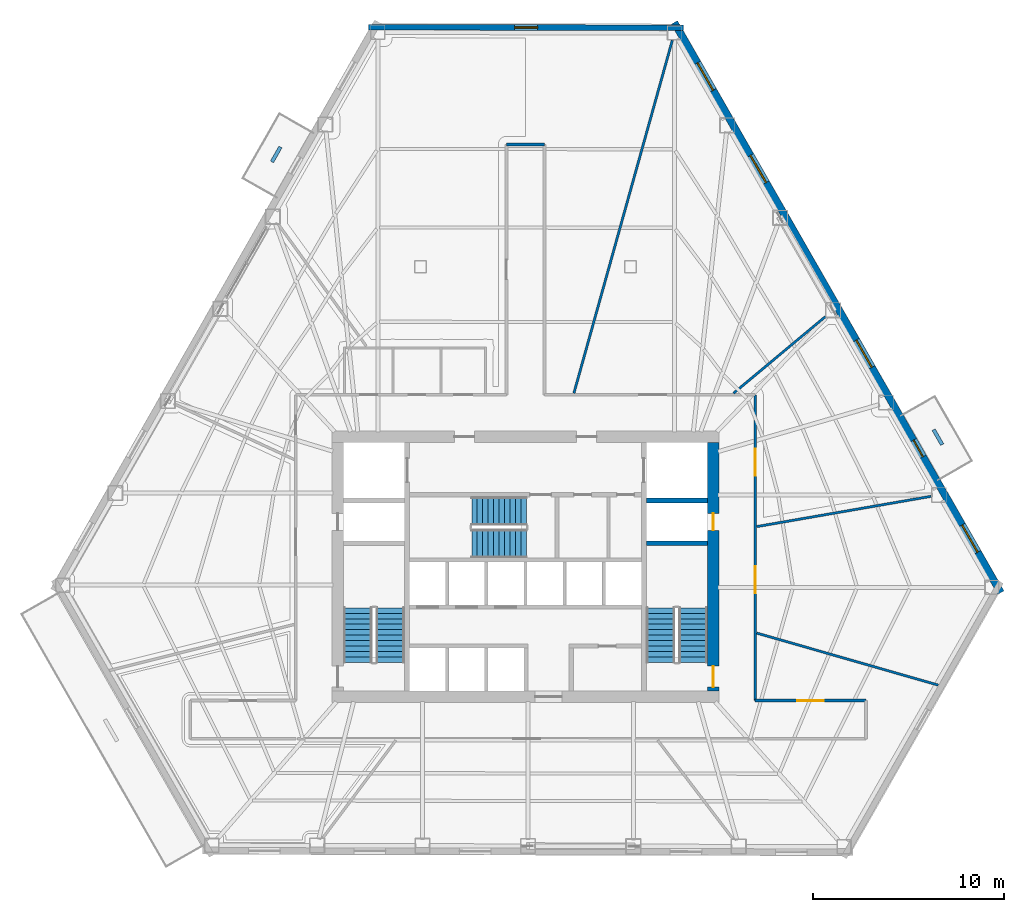
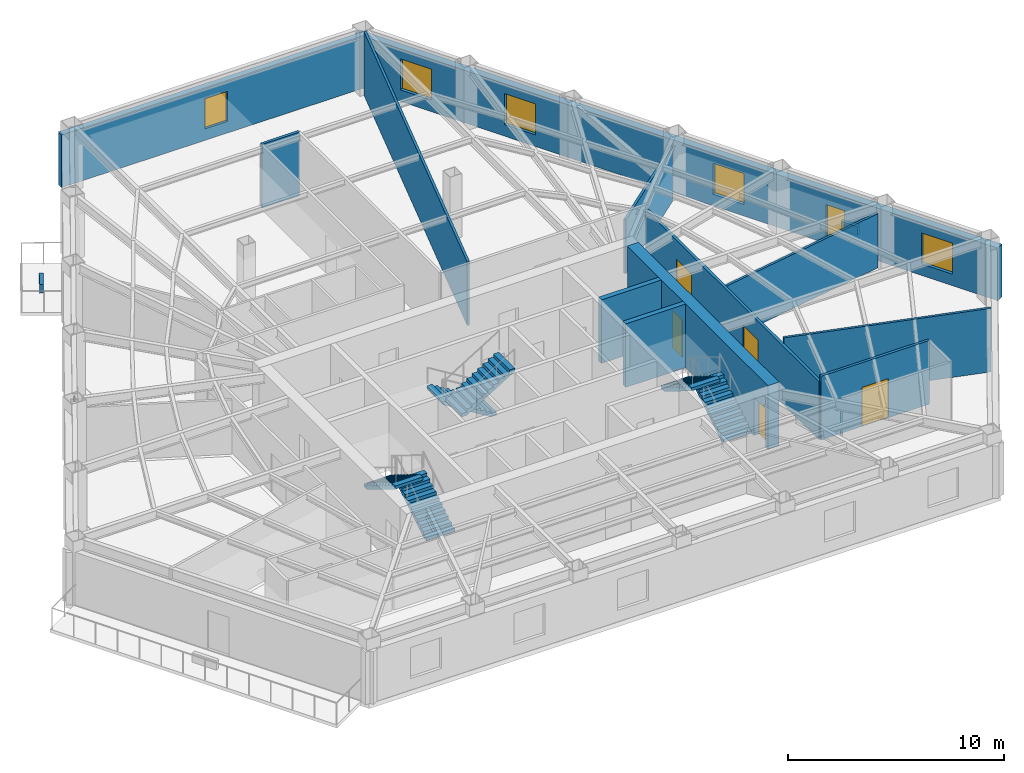
# One storey, part 10 of 14: 14 walls, 6 doors, 6 stair flights, 5 windows, 11 openings, 3 elements without a shape of their own.
"""IFC4 building model written with IfcOpenShell, lengths in metres."""

from ifc_helpers import new_model, si_unit, direction, frame, frame_2d, origin, place, context, subcontext, project, spatial, polyline, rectangle, outline, extrude, material, layer, layer_set, type_object, element, fill, aggregate, save


model = new_model("IFC4")

# Units and contexts
model_context = context("Model", 3, precision=1e-05, world=origin(), true_north=direction((0.0, 1.0)))
body_context = subcontext(model_context, "Body", "Model", "MODEL_VIEW")
ifc_project = project(units=[si_unit("LENGTHUNIT", "METRE"), si_unit("AREAUNIT", "SQUARE_METRE"), si_unit("VOLUMEUNIT", "CUBIC_METRE"), si_unit("PLANEANGLEUNIT", "RADIAN"), si_unit("MASSUNIT", "GRAM", prefix="KILO")], contexts=[model_context])

# Site, building, storey
site_placement = place(None, origin())
site = spatial("IfcSite", under=ifc_project, at=site_placement, CompositionType="ELEMENT")
building_placement = place(site_placement, origin())
building = spatial("IfcBuilding", under=site, at=building_placement, Name="Kavelnor Concourse Tower", CompositionType="ELEMENT")
storey_placement = place(building_placement, frame((0.0, 0.0, 32.949951171875)))
storey = spatial("IfcBuildingStorey", under=building, at=storey_placement, Name="L08", CompositionType="ELEMENT", Elevation=32.949951171875)

# Wall, openings, doors
ifc_material_1 = material(Name="Concrete C60/75", Category="concrete")
ifc_layer_1 = layer(ifc_material_1, 0.60009765625, Name="Concrete C60/75")
ifc_layer_set_1 = layer_set([ifc_layer_1], Name="Concrete C60/75")
wall_type_1 = type_object("IfcWallType", Name="WL-CORE-Z1-600", PredefinedType="SOLIDWALL", material=ifc_layer_set_1)
wall_1_placement = place(storey_placement, frame((47.820068359375, 9.60009765625, 0.0), z_axis=(0.0, 0.0, 1.0), x_axis=(0.0, 1.0, 0.0)))
wall_1 = element("IfcWall", 1, at=wall_1_placement, inside=storey, type_object=wall_type_1, Name="L08 Central Core East Shear Wall", PredefinedType="SOLIDWALL", context=body_context, shape_type="SweptSolid", body=[
    extrude(rectangle(XDim=13.0, YDim=0.60009765625, at=frame_2d((6.5, 0.0))), origin(), (0.0, 0.0, 1.0), 3.590087890625),
])
opening_1_placement = place(wall_1_placement, frame((0.199951171875, 0.0, 0.0)))
opening_1 = element("IfcOpeningElement", 2, at=opening_1_placement, cuts=wall_1, Name="Opening FD-110", PredefinedType="OPENING", context=body_context, shape_type="SweptSolid", body=[
    extrude(rectangle(XDim=1.10009765625, YDim=2.14990234375, at=frame_2d((0.550048828125, 1.074951171875))), frame((0.0, 0.31005859375, 0.0), z_axis=(0.0, -1.0, 0.0), x_axis=(1.0, 0.0, 0.0)), (0.0, 0.0, 1.0), 0.6201171875),
])
opening_2_placement = place(wall_1_placement, frame((8.39990234375, 0.0, 0.0)))
opening_2 = element("IfcOpeningElement", 3, at=opening_2_placement, cuts=wall_1, Name="Opening FD-090", PredefinedType="OPENING", context=body_context, shape_type="SweptSolid", body=[
    extrude(rectangle(XDim=0.89990234375, YDim=2.10009765625, at=frame_2d((0.449951171875, 1.050048828125))), frame((0.0, 0.31005859375, 0.0), z_axis=(0.0, -1.0, 0.0), x_axis=(1.0, 0.0, 0.0)), (0.0, 0.0, 1.0), 0.6201171875),
])
ifc_material_2 = material(Name="Steel Grade 350", Category="steel")
door_type_1 = type_object("IfcDoorType", Name="DR-RISER-FIRE-900", OperationType="NOTDEFINED", PredefinedType="DOOR", material=ifc_material_2)
door_1_placement = place(opening_2_placement, origin())
door_1 = element("IfcDoor", 4, at=door_1_placement, inside=storey, type_object=door_type_1, Name="L08 East Riser Access Door", OperationType="SINGLE_SWING_LEFT", OverallHeight=2.10009765625, OverallWidth=0.89990234375, PredefinedType="DOOR", context=body_context, shape_type="SweptSolid", body=[
    extrude(rectangle(XDim=0.89990234375, YDim=2.10009765625, at=frame_2d((0.449951171875, 1.050048828125))), frame((0.0, 0.02490234375, 0.0), z_axis=(0.0, -1.0, 0.0), x_axis=(1.0, 0.0, 0.0)), (0.0, 0.0, 1.0), 0.050048828125),
])
fill(opening_2, door_1)
door_type_2 = type_object("IfcDoorType", Name="DR-STAIR-FIRE-1100", OperationType="NOTDEFINED", PredefinedType="DOOR", material=ifc_material_2)
door_2_placement = place(opening_1_placement, origin())
door_2 = element("IfcDoor", 5, at=door_2_placement, inside=storey, type_object=door_type_2, Name="L08 Stair ST2 Fire Door", OperationType="SINGLE_SWING_RIGHT", OverallHeight=2.14990234375, OverallWidth=1.10009765625, PredefinedType="DOOR", context=body_context, shape_type="SweptSolid", body=[
    extrude(rectangle(XDim=1.10009765625, YDim=2.14990234375, at=frame_2d((0.550048828125, 1.074951171875))), frame((0.0, 0.02490234375, 0.0), z_axis=(0.0, -1.0, 0.0), x_axis=(1.0, 0.0, 0.0)), (0.0, 0.0, 1.0), 0.050048828125),
])
fill(opening_1, door_2)

# Wall, opening, window
ifc_material_3 = material(Name="Buff ironspot clay face brick masonry", Category="masonry")
ifc_layer_2 = layer(ifc_material_3, 0.300048828125, Name="Buff ironspot clay face brick masonry")
ifc_layer_set_2 = layer_set([ifc_layer_2], Name="Buff ironspot clay face brick masonry")
wall_type_2 = type_object("IfcWallType", Name="WL-EXT-BUFF-BRICK-FOLD-300", PredefinedType="STANDARD", material=ifc_layer_set_2)
wall_2_placement = place(storey_placement, frame((29.792236328125, 44.335693359375, 0.0), z_axis=(0.0, 0.0, 1.0), x_axis=(0.999997529995, -0.002222611864, 0.0)))
wall_2 = element("IfcWall", 6, at=wall_2_placement, inside=storey, type_object=wall_type_2, Name="L08 Exterior Brick Facade Wall E0", PredefinedType="STANDARD", context=body_context, shape_type="SweptSolid", body=[
    extrude(rectangle(XDim=16.4765625, YDim=0.300048828125, at=frame_2d((8.23828125, 0.0))), origin(), (0.0, 0.0, 1.0), 2.969970703125),
])
opening_3_placement = place(wall_2_placement, frame((7.63818359375, 0.0, 0.64990234375)))
opening_3 = element("IfcOpeningElement", 7, at=opening_3_placement, cuts=wall_2, Name="Opening W-05", PredefinedType="OPENING", context=body_context, shape_type="SweptSolid", body=[
    extrude(rectangle(XDim=1.199951171875, YDim=1.699951171875, at=frame_2d((0.60009765625, 0.85009765625))), frame((0.0, 0.16015625, 0.0), z_axis=(0.0, -1.0, 0.0), x_axis=(1.0, 0.0, 0.0)), (0.0, 0.0, 1.0), 0.320068359375),
])
ifc_material_4 = material(Name="Double low-E argon insulated glazing", Category="glass")
window_type_1 = type_object("IfcWindowType", Name="WIN-FOLD-1200", PartitioningType="SINGLE_PANEL", PredefinedType="WINDOW", material=ifc_material_4)
window_1_placement = place(opening_3_placement, origin())
window_1 = element("IfcWindow", 8, at=window_1_placement, inside=storey, type_object=window_type_1, Name="L08 Chamfer-Fold Facet Window C0", OverallHeight=1.699951171875, OverallWidth=1.199951171875, PartitioningType="SINGLE_PANEL", PredefinedType="WINDOW", context=body_context, shape_type="SweptSolid", body=[
    extrude(rectangle(XDim=1.199951171875, YDim=1.699951171875, at=frame_2d((0.60009765625, 0.85009765625))), frame((0.0, 0.030029296875, 0.0), z_axis=(0.0, -1.0, 0.0), x_axis=(1.0, 0.0, 0.0)), (0.0, 0.0, 1.0), 0.06005859375),
])
fill(opening_3, window_1)

# Wall, openings, door, windows
ifc_material_5 = material(Name="Red-ochre clay face brick masonry", Category="masonry")
ifc_layer_3 = layer(ifc_material_5, 0.3798828125, Name="Red-ochre clay face brick masonry")
ifc_layer_set_3 = layer_set([ifc_layer_3], Name="Red-ochre clay face brick masonry")
wall_type_3 = type_object("IfcWallType", Name="WL-EXT-RED-BRICK-PIER-380", PredefinedType="STANDARD", material=ifc_layer_set_3)
wall_3_placement = place(storey_placement, frame((45.78759765625, 44.57861328125, 0.0), z_axis=(0.0, 0.0, 1.0), x_axis=(0.49695855075, -0.867774278736, 0.0)))
wall_3 = element("IfcWall", 9, at=wall_3_placement, inside=storey, type_object=wall_type_3, Name="L08 Exterior Brick Facade Wall E5", PredefinedType="STANDARD", context=body_context, shape_type="SweptSolid", body=[
    extrude(rectangle(XDim=34.379150390625, YDim=0.3798828125, at=frame_2d((17.189453125, 0.0))), origin(), (0.0, 0.0, 1.0), 2.969970703125),
])
opening_4_placement = place(wall_3_placement, frame((25.184326171875, 0.0, 0.0)))
opening_4 = element("IfcOpeningElement", 10, at=opening_4_placement, cuts=wall_3, Name="Opening BD-100", PredefinedType="OPENING", context=body_context, shape_type="SweptSolid", body=[
    extrude(rectangle(XDim=1.0, YDim=2.199951171875, at=frame_2d((0.5, 1.10009765625))), frame((0.0, 0.199951171875, 0.0), z_axis=(0.0, -1.0, 0.0), x_axis=(1.0, 0.0, 0.0)), (0.0, 0.0, 1.0), 0.39990234375),
])
opening_5_placement = place(wall_3_placement, frame((30.294189453125, 0.0, 0.64990234375)))
opening_5 = element("IfcOpeningElement", 11, at=opening_5_placement, cuts=wall_3, Name="Opening W-01", PredefinedType="OPENING", context=body_context, shape_type="SweptSolid", body=[
    extrude(rectangle(XDim=1.64990234375, YDim=1.75, at=frame_2d((0.824951171875, 0.875))), frame((0.0, 0.199951171875, 0.0), z_axis=(0.0, -1.0, 0.0), x_axis=(1.0, 0.0, 0.0)), (0.0, 0.0, 1.0), 0.39990234375),
])
opening_6_placement = place(wall_3_placement, frame((19.15185546875, 0.0, 0.64990234375)))
opening_6 = element("IfcOpeningElement", 12, at=opening_6_placement, cuts=wall_3, Name="Opening W-01", PredefinedType="OPENING", context=body_context, shape_type="SweptSolid", body=[
    extrude(rectangle(XDim=1.64990234375, YDim=1.75, at=frame_2d((0.824951171875, 0.875))), frame((0.0, 0.199951171875, 0.0), z_axis=(0.0, -1.0, 0.0), x_axis=(1.0, 0.0, 0.0)), (0.0, 0.0, 1.0), 0.39990234375),
])
opening_7_placement = place(wall_3_placement, frame((8.009521484375, 0.0, 0.64990234375)))
opening_7 = element("IfcOpeningElement", 13, at=opening_7_placement, cuts=wall_3, Name="Opening W-01", PredefinedType="OPENING", context=body_context, shape_type="SweptSolid", body=[
    extrude(rectangle(XDim=1.64990234375, YDim=1.75, at=frame_2d((0.824951171875, 0.875))), frame((0.0, 0.199951171875, 0.0), z_axis=(0.0, -1.0, 0.0), x_axis=(1.0, 0.0, 0.0)), (0.0, 0.0, 1.0), 0.39990234375),
])
opening_8_placement = place(wall_3_placement, frame((2.438232421875, 0.0, 0.64990234375)))
opening_8 = element("IfcOpeningElement", 14, at=opening_8_placement, cuts=wall_3, Name="Opening W-01", PredefinedType="OPENING", context=body_context, shape_type="SweptSolid", body=[
    extrude(rectangle(XDim=1.64990234375, YDim=1.75, at=frame_2d((0.824951171875, 0.875))), frame((0.0, 0.199951171875, 0.0), z_axis=(0.0, -1.0, 0.0), x_axis=(1.0, 0.0, 0.0)), (0.0, 0.0, 1.0), 0.39990234375),
])
ifc_material_6 = material(Name="Anodised aluminium 6063-T6", Category="aluminium")
door_type_3 = type_object("IfcDoorType", Name="DR-BALCONY-EXT-1000", OperationType="NOTDEFINED", PredefinedType="DOOR", material=ifc_material_6)
door_3_placement = place(opening_4_placement, origin())
door_3 = element("IfcDoor", 15, at=door_3_placement, inside=storey, type_object=door_type_3, Name="L08 Tree Balcony 1 Glazed Door", OperationType="SINGLE_SWING_LEFT", OverallHeight=2.199951171875, OverallWidth=1.0, PredefinedType="DOOR", context=body_context, shape_type="SweptSolid", body=[
    extrude(rectangle(XDim=1.0, YDim=2.199951171875, at=frame_2d((0.5, 1.10009765625))), frame((0.0, 0.02490234375, 0.0), z_axis=(0.0, -1.0, 0.0), x_axis=(1.0, 0.0, 0.0)), (0.0, 0.0, 1.0), 0.050048828125),
])
fill(opening_4, door_3)
window_type_2 = type_object("IfcWindowType", Name="WIN-PIER-Z1-1800", PartitioningType="SINGLE_PANEL", PredefinedType="WINDOW", material=ifc_material_4)
window_2_placement = place(opening_5_placement, origin())
window_2 = element("IfcWindow", 16, at=window_2_placement, inside=storey, type_object=window_type_2, Name="L08 Deep-Set Brick Pier Window F2-B0", OverallHeight=1.75, OverallWidth=1.64990234375, PartitioningType="SINGLE_PANEL", PredefinedType="WINDOW", context=body_context, shape_type="SweptSolid", body=[
    extrude(rectangle(XDim=1.64990234375, YDim=1.75, at=frame_2d((0.824951171875, 0.875))), frame((0.0, 0.030029296875, 0.0), z_axis=(0.0, -1.0, 0.0), x_axis=(1.0, 0.0, 0.0)), (0.0, 0.0, 1.0), 0.06005859375),
])
fill(opening_5, window_2)
window_3_placement = place(opening_6_placement, origin())
window_3 = element("IfcWindow", 17, at=window_3_placement, inside=storey, type_object=window_type_2, Name="L08 Deep-Set Brick Pier Window F2-B2", OverallHeight=1.75, OverallWidth=1.64990234375, PartitioningType="SINGLE_PANEL", PredefinedType="WINDOW", context=body_context, shape_type="SweptSolid", body=[
    extrude(rectangle(XDim=1.64990234375, YDim=1.75, at=frame_2d((0.824951171875, 0.875))), frame((0.0, 0.030029296875, 0.0), z_axis=(0.0, -1.0, 0.0), x_axis=(1.0, 0.0, 0.0)), (0.0, 0.0, 1.0), 0.06005859375),
])
fill(opening_6, window_3)
window_4_placement = place(opening_7_placement, origin())
window_4 = element("IfcWindow", 18, at=window_4_placement, inside=storey, type_object=window_type_2, Name="L08 Deep-Set Brick Pier Window F2-B4", OverallHeight=1.75, OverallWidth=1.64990234375, PartitioningType="SINGLE_PANEL", PredefinedType="WINDOW", context=body_context, shape_type="SweptSolid", body=[
    extrude(rectangle(XDim=1.64990234375, YDim=1.75, at=frame_2d((0.824951171875, 0.875))), frame((0.0, 0.030029296875, 0.0), z_axis=(0.0, -1.0, 0.0), x_axis=(1.0, 0.0, 0.0)), (0.0, 0.0, 1.0), 0.06005859375),
])
fill(opening_7, window_4)
window_5_placement = place(opening_8_placement, origin())
window_5 = element("IfcWindow", 19, at=window_5_placement, inside=storey, type_object=window_type_2, Name="L08 Deep-Set Brick Pier Window F2-B5", OverallHeight=1.75, OverallWidth=1.64990234375, PartitioningType="SINGLE_PANEL", PredefinedType="WINDOW", context=body_context, shape_type="SweptSolid", body=[
    extrude(rectangle(XDim=1.64990234375, YDim=1.75, at=frame_2d((0.824951171875, 0.875))), frame((0.0, 0.030029296875, 0.0), z_axis=(0.0, -1.0, 0.0), x_axis=(1.0, 0.0, 0.0)), (0.0, 0.0, 1.0), 0.06005859375),
])
fill(opening_8, window_5)

# Wall
ifc_material_7 = material(Name="Gypsum plasterboard on light-gauge steel studs", Category="steel")
ifc_layer_4 = layer(ifc_material_7, 0.14501953125, Name="Gypsum plasterboard on light-gauge steel studs")
ifc_layer_set_4 = layer_set([ifc_layer_4], Name="Gypsum plasterboard on light-gauge steel studs")
wall_type_4 = type_object("IfcWallType", Name="WL-INT-CORR-145", PredefinedType="PARTITIONING", material=ifc_layer_set_4)
wall_4_placement = place(storey_placement, frame((37.0, 38.199951171875, 0.0), z_axis=(0.0, 0.0, 1.0), x_axis=(1.0, 0.0, 0.0)))
element("IfcWall", 20, at=wall_4_placement, inside=storey, type_object=wall_type_4, Name="L08 Corridor Wall WL-L08-CR-05", PredefinedType="PARTITIONING", context=body_context, shape_type="SweptSolid", body=[
    extrude(rectangle(XDim=2.0, YDim=0.14501953125, at=frame_2d((1.0, 0.0))), origin(), (0.0, 0.0, 1.0), 3.590087890625),
])

# Wall, openings, doors
wall_5_placement = place(storey_placement, frame((50.02001953125, 25.10009765625, 0.0), z_axis=(0.0, 0.0, 1.0), x_axis=(0.0, -1.0, 0.0)))
wall_5 = element("IfcWall", 21, at=wall_5_placement, inside=storey, type_object=wall_type_4, Name="L08 Corridor Wall WL-L08-CR-08", PredefinedType="PARTITIONING", context=body_context, shape_type="SweptSolid", body=[
    extrude(rectangle(XDim=16.0, YDim=0.14501953125, at=frame_2d((8.0, 0.0))), origin(), (0.0, 0.0, 1.0), 3.278076171875),
])
opening_9_placement = place(wall_5_placement, frame((2.834228515625, 0.0, 0.0)))
opening_9 = element("IfcOpeningElement", 22, at=opening_9_placement, cuts=wall_5, Name="Opening SD-140", PredefinedType="OPENING", context=body_context, shape_type="SweptSolid", body=[
    extrude(rectangle(XDim=1.39990234375, YDim=2.199951171875, at=frame_2d((0.699951171875, 1.10009765625))), frame((0.0, 0.08251953125, 0.0), z_axis=(0.0, -1.0, 0.0), x_axis=(1.0, 0.0, 0.0)), (0.0, 0.0, 1.0), 0.1650390625),
])
opening_10_placement = place(wall_5_placement, frame((8.9833984375, 0.0, 0.0)))
opening_10 = element("IfcOpeningElement", 23, at=opening_10_placement, cuts=wall_5, Name="Opening SD-140", PredefinedType="OPENING", context=body_context, shape_type="SweptSolid", body=[
    extrude(rectangle(XDim=1.39990234375, YDim=2.199951171875, at=frame_2d((0.699951171875, 1.10009765625))), frame((0.0, 0.08251953125, 0.0), z_axis=(0.0, -1.0, 0.0), x_axis=(1.0, 0.0, 0.0)), (0.0, 0.0, 1.0), 0.1650390625),
])
ifc_material_8 = material(Name="Solid-core hardwood timber", Category="wood")
door_type_4 = type_object("IfcDoorType", Name="DR-SUITE-ENTRY-1400", OperationType="NOTDEFINED", PredefinedType="DOOR", material=ifc_material_8)
door_4_placement = place(opening_9_placement, origin())
door_4 = element("IfcDoor", 24, at=door_4_placement, inside=storey, type_object=door_type_4, Name="L08 Technical Reference Library 01 Door", OperationType="SINGLE_SWING_RIGHT", OverallHeight=2.199951171875, OverallWidth=1.39990234375, PredefinedType="DOOR", context=body_context, shape_type="SweptSolid", body=[
    extrude(rectangle(XDim=1.39990234375, YDim=2.199951171875, at=frame_2d((0.699951171875, 1.10009765625))), frame((0.0, 0.02490234375, 0.0), z_axis=(0.0, -1.0, 0.0), x_axis=(1.0, 0.0, 0.0)), (0.0, 0.0, 1.0), 0.050048828125),
])
fill(opening_9, door_4)
door_5_placement = place(opening_10_placement, origin())
door_5 = element("IfcDoor", 25, at=door_5_placement, inside=storey, type_object=door_type_4, Name="L08 Client Concierge 09 Door", OperationType="SINGLE_SWING_RIGHT", OverallHeight=2.199951171875, OverallWidth=1.39990234375, PredefinedType="DOOR", context=body_context, shape_type="SweptSolid", body=[
    extrude(rectangle(XDim=1.39990234375, YDim=2.199951171875, at=frame_2d((0.699951171875, 1.10009765625))), frame((0.0, 0.02490234375, 0.0), z_axis=(0.0, -1.0, 0.0), x_axis=(1.0, 0.0, 0.0)), (0.0, 0.0, 1.0), 0.050048828125),
])
fill(opening_10, door_5)

# Wall, opening, door
wall_6_placement = place(storey_placement, frame((50.02001953125, 9.10009765625, 0.0), z_axis=(0.0, 0.0, 1.0), x_axis=(1.0, 0.0, 0.0)))
wall_6 = element("IfcWall", 26, at=wall_6_placement, inside=storey, type_object=wall_type_4, Name="L08 Corridor Wall WL-L08-CR-09", PredefinedType="PARTITIONING", context=body_context, shape_type="SweptSolid", body=[
    extrude(rectangle(XDim=5.797119140625, YDim=0.14501953125, at=frame_2d((2.8984375, 0.0))), origin(), (0.0, 0.0, 1.0), 3.590087890625),
])
opening_11_placement = place(wall_6_placement, frame((2.198486328125, 0.0, 0.0)))
opening_11 = element("IfcOpeningElement", 27, at=opening_11_placement, cuts=wall_6, Name="Opening SD-140", PredefinedType="OPENING", context=body_context, shape_type="SweptSolid", body=[
    extrude(rectangle(XDim=1.39990234375, YDim=2.199951171875, at=frame_2d((0.699951171875, 1.10009765625))), frame((0.0, 0.08251953125, 0.0), z_axis=(0.0, -1.0, 0.0), x_axis=(1.0, 0.0, 0.0)), (0.0, 0.0, 1.0), 0.1650390625),
])
door_6_placement = place(opening_11_placement, origin())
door_6 = element("IfcDoor", 28, at=door_6_placement, inside=storey, type_object=door_type_4, Name="L08 Staff Breakout Pantry 08 Door", OperationType="SINGLE_SWING_LEFT", OverallHeight=2.199951171875, OverallWidth=1.39990234375, PredefinedType="DOOR", context=body_context, shape_type="SweptSolid", body=[
    extrude(rectangle(XDim=1.39990234375, YDim=2.199951171875, at=frame_2d((0.699951171875, 1.10009765625))), frame((0.0, 0.02490234375, 0.0), z_axis=(0.0, -1.0, 0.0), x_axis=(1.0, 0.0, 0.0)), (0.0, 0.0, 1.0), 0.050048828125),
])
fill(opening_11, door_6)

# Walls
ifc_layer_5 = layer(ifc_material_7, 0.125, Name="Gypsum plasterboard on light-gauge steel studs")
ifc_layer_set_5 = layer_set([ifc_layer_5], Name="Gypsum plasterboard on light-gauge steel studs")
wall_type_5 = type_object("IfcWallType", Name="WL-INT-SUITE-125", PredefinedType="PARTITIONING", material=ifc_layer_set_5)
wall_7_placement = place(storey_placement, frame((50.1005859375, 18.20166015625, 0.0), z_axis=(0.0, 0.0, 1.0), x_axis=(0.985253321199, 0.171101996091, 0.0)))
element("IfcWall", 29, at=wall_7_placement, inside=storey, type_object=wall_type_5, Name="L08 Radial Suite Partition 01", PredefinedType="PARTITIONING", context=body_context, shape_type="SweptSolid", body=[
    extrude(rectangle(XDim=9.26171875, YDim=0.125, at=frame_2d((4.630859375, 0.0))), origin(), (0.0, 0.0, 1.0), 3.05712890625),
])
wall_8_placement = place(storey_placement, frame((48.886474609375, 25.180419921875, 0.0), z_axis=(0.0, 0.0, 1.0), x_axis=(0.767926794533, 0.640537616568, 0.0)))
element("IfcWall", 30, at=wall_8_placement, inside=storey, type_object=wall_type_5, Name="L08 Radial Suite Partition 02", PredefinedType="PARTITIONING", context=body_context, shape_type="SweptSolid", body=[
    extrude(rectangle(XDim=6.25341796875, YDim=0.125, at=frame_2d((3.126708984375, 0.0))), origin(), (0.0, 0.0, 1.0), 3.05712890625),
])
wall_9_placement = place(storey_placement, frame((40.53271484375, 25.180419921875, 0.0), z_axis=(0.0, 0.0, 1.0), x_axis=(0.26868106489, 0.963229196697, 0.0)))
element("IfcWall", 31, at=wall_9_placement, inside=storey, type_object=wall_type_5, Name="L08 Radial Suite Partition 03", PredefinedType="PARTITIONING", context=body_context, shape_type="SweptSolid", body=[
    extrude(rectangle(XDim=19.16650390625, YDim=0.125, at=frame_2d((9.583251953125, 0.0))), origin(), (0.0, 0.0, 1.0), 3.590087890625),
])
wall_10_placement = place(storey_placement, frame((50.1005859375, 12.63037109375, 0.0), z_axis=(0.0, 0.0, 1.0), x_axis=(0.961255860269, -0.275657706401, 0.0)))
element("IfcWall", 32, at=wall_10_placement, inside=storey, type_object=wall_type_5, Name="L08 Radial Suite Partition 09", PredefinedType="PARTITIONING", context=body_context, shape_type="SweptSolid", body=[
    extrude(rectangle(XDim=9.879638671875, YDim=0.125, at=frame_2d((4.93994140625, 0.0))), origin(), (0.0, 0.0, 1.0), 3.590087890625),
])
ifc_material_9 = material(Name="Architectural precast planter concrete C40/50", Category="concrete")
ifc_layer_6 = layer(ifc_material_9, 0.18994140625, Name="Architectural precast planter concrete C40/50")
ifc_layer_set_6 = layer_set([ifc_layer_6], Name="Architectural precast planter concrete C40/50")
wall_type_6 = type_object("IfcWallType", Name="WL-PLANTER-KERB-190", PredefinedType="USERDEFINED", material=ifc_layer_set_6)
wall_11_placement = place(storey_placement, frame((59.8037109375, 22.489013671875, 0.0), z_axis=(0.0, 0.0, 1.0), x_axis=(-0.497160915336, 0.867658356879, 0.0)))
element("IfcWall", 33, at=wall_11_placement, inside=storey, type_object=wall_type_6, Name="L08 Tree Balcony 1 Tree Planter Kerb", ObjectType="PLANTER", PredefinedType="USERDEFINED", context=body_context, shape_type="SweptSolid", body=[
    extrude(rectangle(XDim=0.900146484375, YDim=0.18994140625, at=frame_2d((0.4501953125, 0.0))), origin(), (0.0, 0.0, 1.0), 0.5),
])
wall_12_placement = place(storey_placement, frame((25.17919921875, 38.066162109375, 0.0), z_axis=(0.0, 0.0, 1.0), x_axis=(-0.49485284563, -0.868976789777, 0.0)))
element("IfcWall", 34, at=wall_12_placement, inside=storey, type_object=wall_type_6, Name="L08 Tree Balcony 2 Tree Planter Kerb", ObjectType="PLANTER", PredefinedType="USERDEFINED", context=body_context, shape_type="SweptSolid", body=[
    extrude(rectangle(XDim=0.89990234375, YDim=0.18994140625, at=frame_2d((0.449951171875, 0.0))), origin(), (0.0, 0.0, 1.0), 0.5),
])
ifc_material_10 = material(Name="Concrete C50/60", Category="concrete")
ifc_layer_7 = layer(ifc_material_10, 0.260009765625, Name="Concrete C50/60")
ifc_layer_set_7 = layer_set([ifc_layer_7], Name="Concrete C50/60")
wall_type_7 = type_object("IfcWallType", Name="WL-SHAFT-260", PredefinedType="SHEAR", material=ifc_layer_set_7)
for number, where, z_axis, x_axis, name in (
    (35, (44.320068359375, 17.330078125, 0.0), (0.0, 0.0, 1.0), (1.0, 0.0, 0.0), "L08 Stair ST2 North Shaft Wall"),
    (36, (44.320068359375, 19.570068359375, 0.0), (0.0, 0.0, 1.0), (1.0, 0.0, 0.0), "L08 Emergency Lift FL2 South Shaft Wall"),
):
    element("IfcWall", number, at=place(storey_placement, frame(where, z_axis=z_axis, x_axis=x_axis)), inside=storey, type_object=wall_type_7, Name=name, PredefinedType="SHEAR", context=body_context, shape_type="SweptSolid", body=[
        extrude(rectangle(XDim=3.199951171875, YDim=0.260009765625, at=frame_2d((1.60009765625, 0.0))), origin(), (0.0, 0.0, 1.0), 3.590087890625),
    ])

# Stair, stair flights
ifc_material_11 = material(Name="Concrete C40/50", Category="concrete")
stair_type = type_object("IfcStairType", Name="STR-CORE-1500", PredefinedType="HALF_TURN_STAIR", material=ifc_material_11)
stair_1_placement = place(storey_placement, origin())
stair_1 = element("IfcStair", 37, at=stair_1_placement, inside=storey, type_object=stair_type, Name="L08 ST1", PredefinedType="HALF_TURN_STAIR")
stair_flight_type = type_object("IfcStairFlightType", Name="STR-FLIGHT-1500", PredefinedType="STRAIGHT", material=ifc_material_11)
stair_flight_1_placement = place(storey_placement, frame((30.929931640625, 11.10009765625, 0.0), z_axis=(0.0, 0.0, 1.0), x_axis=(0.0, 1.0, 0.0)))
stair_flight_1 = element("IfcStairFlight", 38, at=stair_flight_1_placement, type_object=stair_flight_type, Name="ST1 flight 1", NumberOfRisers=11, NumberOfTreads=10, PredefinedType="STRAIGHT", RiserHeight=0.175, TreadLength=0.285, context=body_context, shape_type="SweptSolid", body=[
    extrude(outline(polyline([(0.0, 0.0), (0.0, 0.175048828125), (0.284912109375, 0.175048828125), (0.284912109375, 0.35009765625), (0.570068359375, 0.35009765625), (0.570068359375, 0.52490234375), (0.85498046875, 0.52490234375), (0.85498046875, 0.699951171875), (1.139892578125, 0.699951171875), (1.139892578125, 0.875), (1.425048828125, 0.875), (1.425048828125, 1.050048828125), (1.7099609375, 1.050048828125), (1.7099609375, 1.22509765625), (1.9951171875, 1.22509765625), (1.9951171875, 1.39990234375), (2.280029296875, 1.39990234375), (2.280029296875, 1.574951171875), (2.56494140625, 1.574951171875), (2.56494140625, 1.75), (2.85009765625, 1.75), (2.85009765625, 1.925048828125), (2.85009765625, 1.573974609375), (0.286376953125, 0.0), (0.0, 0.0)])), frame((0.0, 0.75, 0.0), z_axis=(0.0, -1.0, 0.0), x_axis=(1.0, 0.0, 0.0)), (0.0, 0.0, 1.0), 1.5),
])
stair_flight_2_placement = place(storey_placement, frame((29.22998046875, 13.949951171875, 1.925048828125), z_axis=(0.0, 0.0, 1.0), x_axis=(0.0, -1.0, 0.0)))
stair_flight_2 = element("IfcStairFlight", 39, at=stair_flight_2_placement, type_object=stair_flight_type, Name="ST1 flight 2", NumberOfRisers=11, NumberOfTreads=10, PredefinedType="STRAIGHT", RiserHeight=0.175, TreadLength=0.285, context=body_context, shape_type="SweptSolid", body=[
    extrude(outline(polyline([(0.0, 0.0), (0.0, 0.175048828125), (0.284912109375, 0.175048828125), (0.284912109375, 0.35009765625), (0.570068359375, 0.35009765625), (0.570068359375, 0.52490234375), (0.85498046875, 0.52490234375), (0.85498046875, 0.699951171875), (1.139892578125, 0.699951171875), (1.139892578125, 0.875), (1.425048828125, 0.875), (1.425048828125, 1.050048828125), (1.7099609375, 1.050048828125), (1.7099609375, 1.22509765625), (1.9951171875, 1.22509765625), (1.9951171875, 1.39990234375), (2.280029296875, 1.39990234375), (2.280029296875, 1.574951171875), (2.56494140625, 1.574951171875), (2.56494140625, 1.75), (2.85009765625, 1.75), (2.85009765625, 1.925048828125), (2.85009765625, 1.573974609375), (0.286376953125, 0.0), (0.0, 0.0)])), frame((0.0, 0.75, 0.0), z_axis=(0.0, -1.0, 0.0), x_axis=(1.0, 0.0, 0.0)), (0.0, 0.0, 1.0), 1.5),
])
aggregate(stair_1, [stair_flight_1, stair_flight_2])

stair_2_placement = place(storey_placement, origin())
stair_2 = element("IfcStair", 40, at=stair_2_placement, inside=storey, type_object=stair_type, Name="L08 ST2", PredefinedType="HALF_TURN_STAIR")
stair_flight_3_placement = place(storey_placement, frame((46.77001953125, 11.10009765625, 0.0), z_axis=(0.0, 0.0, 1.0), x_axis=(0.0, 1.0, 0.0)))
stair_flight_3 = element("IfcStairFlight", 41, at=stair_flight_3_placement, type_object=stair_flight_type, Name="ST2 flight 1", NumberOfRisers=11, NumberOfTreads=10, PredefinedType="STRAIGHT", RiserHeight=0.175, TreadLength=0.285, context=body_context, shape_type="SweptSolid", body=[
    extrude(outline(polyline([(0.0, 0.0), (0.0, 0.175048828125), (0.284912109375, 0.175048828125), (0.284912109375, 0.35009765625), (0.570068359375, 0.35009765625), (0.570068359375, 0.52490234375), (0.85498046875, 0.52490234375), (0.85498046875, 0.699951171875), (1.139892578125, 0.699951171875), (1.139892578125, 0.875), (1.425048828125, 0.875), (1.425048828125, 1.050048828125), (1.7099609375, 1.050048828125), (1.7099609375, 1.22509765625), (1.9951171875, 1.22509765625), (1.9951171875, 1.39990234375), (2.280029296875, 1.39990234375), (2.280029296875, 1.574951171875), (2.56494140625, 1.574951171875), (2.56494140625, 1.75), (2.85009765625, 1.75), (2.85009765625, 1.925048828125), (2.85009765625, 1.573974609375), (0.286376953125, 0.0), (0.0, 0.0)])), frame((0.0, 0.75, 0.0), z_axis=(0.0, -1.0, 0.0), x_axis=(1.0, 0.0, 0.0)), (0.0, 0.0, 1.0), 1.5),
])
stair_flight_4_placement = place(storey_placement, frame((45.070068359375, 13.949951171875, 1.925048828125), z_axis=(0.0, 0.0, 1.0), x_axis=(0.0, -1.0, 0.0)))
stair_flight_4 = element("IfcStairFlight", 42, at=stair_flight_4_placement, type_object=stair_flight_type, Name="ST2 flight 2", NumberOfRisers=11, NumberOfTreads=10, PredefinedType="STRAIGHT", RiserHeight=0.175, TreadLength=0.285, context=body_context, shape_type="SweptSolid", body=[
    extrude(outline(polyline([(0.0, 0.0), (0.0, 0.175048828125), (0.284912109375, 0.175048828125), (0.284912109375, 0.35009765625), (0.570068359375, 0.35009765625), (0.570068359375, 0.52490234375), (0.85498046875, 0.52490234375), (0.85498046875, 0.699951171875), (1.139892578125, 0.699951171875), (1.139892578125, 0.875), (1.425048828125, 0.875), (1.425048828125, 1.050048828125), (1.7099609375, 1.050048828125), (1.7099609375, 1.22509765625), (1.9951171875, 1.22509765625), (1.9951171875, 1.39990234375), (2.280029296875, 1.39990234375), (2.280029296875, 1.574951171875), (2.56494140625, 1.574951171875), (2.56494140625, 1.75), (2.85009765625, 1.75), (2.85009765625, 1.925048828125), (2.85009765625, 1.573974609375), (0.286376953125, 0.0), (0.0, 0.0)])), frame((0.0, 0.75, 0.0), z_axis=(0.0, -1.0, 0.0), x_axis=(1.0, 0.0, 0.0)), (0.0, 0.0, 1.0), 1.5),
])
aggregate(stair_2, [stair_flight_3, stair_flight_4])

stair_3_placement = place(storey_placement, origin())
stair_3 = element("IfcStair", 43, at=stair_3_placement, inside=storey, type_object=stair_type, Name="L08 ST3", PredefinedType="HALF_TURN_STAIR")
stair_flight_5_placement = place(storey_placement, frame((38.0400390625, 19.010009765625, 0.0), z_axis=(0.0, 0.0, 1.0), x_axis=(-1.0, 0.0, 0.0)))
stair_flight_5 = element("IfcStairFlight", 44, at=stair_flight_5_placement, type_object=stair_flight_type, Name="ST3 flight 1", NumberOfRisers=11, NumberOfTreads=10, PredefinedType="STRAIGHT", RiserHeight=0.175, TreadLength=0.285, context=body_context, shape_type="SweptSolid", body=[
    extrude(outline(polyline([(0.0, 0.0), (0.0, 0.175048828125), (0.284912109375, 0.175048828125), (0.284912109375, 0.35009765625), (0.570068359375, 0.35009765625), (0.570068359375, 0.52490234375), (0.85498046875, 0.52490234375), (0.85498046875, 0.699951171875), (1.139892578125, 0.699951171875), (1.139892578125, 0.875), (1.425048828125, 0.875), (1.425048828125, 1.050048828125), (1.7099609375, 1.050048828125), (1.7099609375, 1.22509765625), (1.9951171875, 1.22509765625), (1.9951171875, 1.39990234375), (2.280029296875, 1.39990234375), (2.280029296875, 1.574951171875), (2.56494140625, 1.574951171875), (2.56494140625, 1.75), (2.85009765625, 1.75), (2.85009765625, 1.925048828125), (2.85009765625, 1.573974609375), (0.286376953125, 0.0), (0.0, 0.0)])), frame((0.0, 0.75, 0.0), z_axis=(0.0, -1.0, 0.0), x_axis=(1.0, 0.0, 0.0)), (0.0, 0.0, 1.0), 1.5),
])
stair_flight_6_placement = place(storey_placement, frame((35.18994140625, 17.31005859375, 1.925048828125), z_axis=(0.0, 0.0, 1.0), x_axis=(1.0, 0.0, 0.0)))
stair_flight_6 = element("IfcStairFlight", 45, at=stair_flight_6_placement, type_object=stair_flight_type, Name="ST3 flight 2", NumberOfRisers=11, NumberOfTreads=10, PredefinedType="STRAIGHT", RiserHeight=0.175, TreadLength=0.285, context=body_context, shape_type="SweptSolid", body=[
    extrude(outline(polyline([(0.0, 0.0), (0.0, 0.175048828125), (0.284912109375, 0.175048828125), (0.284912109375, 0.35009765625), (0.570068359375, 0.35009765625), (0.570068359375, 0.52490234375), (0.85498046875, 0.52490234375), (0.85498046875, 0.699951171875), (1.139892578125, 0.699951171875), (1.139892578125, 0.875), (1.425048828125, 0.875), (1.425048828125, 1.050048828125), (1.7099609375, 1.050048828125), (1.7099609375, 1.22509765625), (1.9951171875, 1.22509765625), (1.9951171875, 1.39990234375), (2.280029296875, 1.39990234375), (2.280029296875, 1.574951171875), (2.56494140625, 1.574951171875), (2.56494140625, 1.75), (2.85009765625, 1.75), (2.85009765625, 1.925048828125), (2.85009765625, 1.573974609375), (0.286376953125, 0.0), (0.0, 0.0)])), frame((0.0, 0.75, 0.0), z_axis=(0.0, -1.0, 0.0), x_axis=(1.0, 0.0, 0.0)), (0.0, 0.0, 1.0), 1.5),
])
aggregate(stair_3, [stair_flight_5, stair_flight_6])

save(model, "model.ifc")
